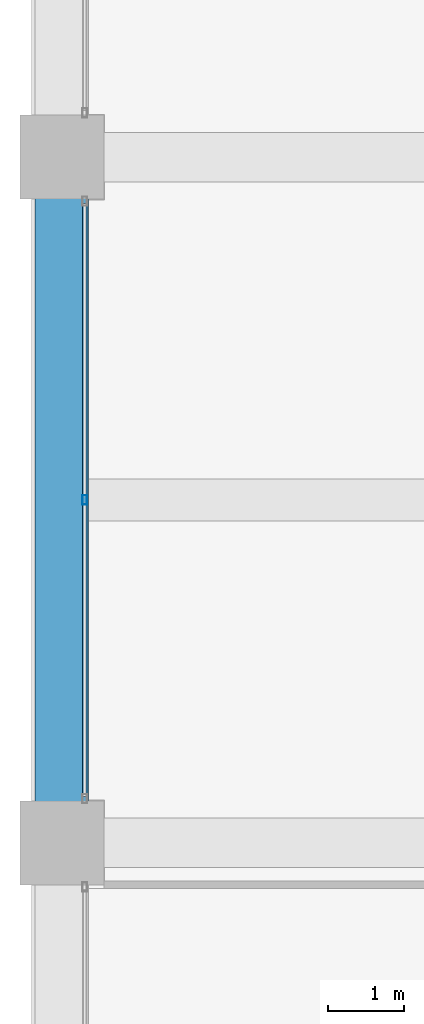
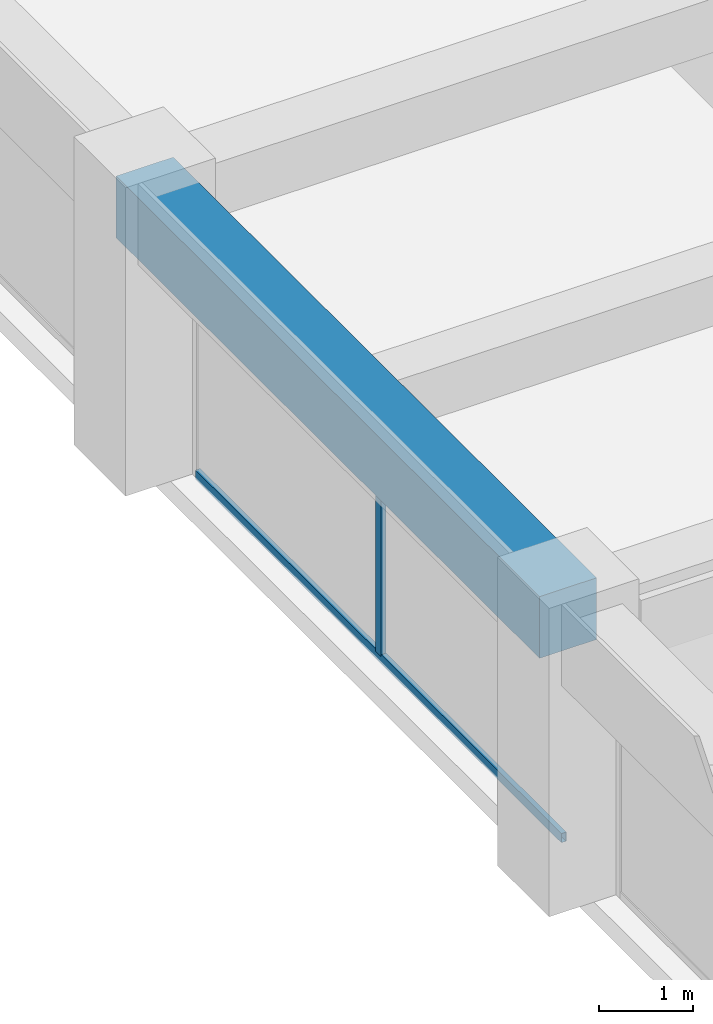
# One storey, part 14 of 44: 2 members, 1 beam, 1 element without a shape of its own.
"""IFC4 building model written with IfcOpenShell, lengths in metres."""

from ifc_helpers import new_model, si_unit, direction, frame, origin, origin_2d, place, context, subcontext, project, spatial, rectangle, hollow_rectangle, extrude, material, material_profile, profile_set, type_object, element, aggregate, save


model = new_model("IFC4")

# Units and contexts
model_context = context("Model", 3, precision=1e-05, world=origin(), true_north=direction((0.0, 1.0)))
body_context = subcontext(model_context, "Body", "Model", "MODEL_VIEW")
ifc_project = project(units=[si_unit("LENGTHUNIT", "METRE"), si_unit("AREAUNIT", "SQUARE_METRE"), si_unit("VOLUMEUNIT", "CUBIC_METRE"), si_unit("PLANEANGLEUNIT", "RADIAN"), si_unit("MASSUNIT", "GRAM", prefix="KILO")], contexts=[model_context])

# Site, building, storey
site_placement = place(None, origin())
site = spatial("IfcSite", under=ifc_project, at=site_placement, CompositionType="ELEMENT")
building_placement = place(site_placement, origin())
building = spatial("IfcBuilding", under=site, at=building_placement, Name="Zorevar Civic Tower", CompositionType="ELEMENT")
storey_placement = place(building_placement, frame((0.0, 0.0, 299.39990234375)))
storey = spatial("IfcBuildingStorey", under=building, at=storey_placement, Name="L73", CompositionType="ELEMENT", Elevation=299.39990234375)

# Curtain wall, members
ifc_material_1 = material(Name="Dark grey solar-control glass in black aluminium frame", Category="aluminium")
curtain_wall_type = type_object("IfcCurtainWallType", Name="Curtain wall CW5 top zone", PredefinedType="NOTDEFINED", material=ifc_material_1)
curtain_wall_placement = place(storey_placement, origin())
curtain_wall = element("IfcCurtainWall", 1, at=curtain_wall_placement, inside=storey, type_object=curtain_wall_type, Name="CW5 L73", PredefinedType="NOTDEFINED")
ifc_material_2 = material(Name="Aluminium, black anodised", Category="aluminium")
ifc_material_profile_1 = material_profile(ifc_material_2, hollow_rectangle(XDim=0.06005859375, YDim=0.1201171875, WallThickness=0.0029296875, at=origin_2d()), Name="AL 120x60x3")
ifc_profile_set_1 = profile_set([ifc_material_profile_1], Name="Aluminium, black anodised")
member_type_1 = type_object("IfcMemberType", Name="CW5 mullion AL 120x60x3", PredefinedType="MULLION", material=ifc_profile_set_1)
member_1_placement = place(storey_placement, frame((9.300048828125, 22.5, 0.06005859375), z_axis=(0.0, 0.0, 1.0), x_axis=(-1.0, 0.0, 0.0)))
member_1 = element("IfcMember", 2, at=member_1_placement, type_object=member_type_1, Name="CW5 mullion 2", PredefinedType="MULLION", context=body_context, shape_type="SweptSolid", body=[
    extrude(hollow_rectangle(XDim=0.06005859375, YDim=0.1201171875, WallThickness=0.0029296875, at=origin_2d()), origin(), (0.0, 0.0, 1.0), 2.89013671875),
])
ifc_material_3 = material(Name="Aluminium, black anodised", Category="aluminium")
ifc_material_profile_2 = material_profile(ifc_material_3, hollow_rectangle(XDim=0.06005859375, YDim=0.1201171875, WallThickness=0.0029296875, at=origin_2d()), Name="AL 120x60x3")
ifc_profile_set_2 = profile_set([ifc_material_profile_2], Name="Aluminium, black anodised")
member_type_2 = type_object("IfcMemberType", Name="CW5 transom AL 120x60x3", PredefinedType="USERDEFINED", material=ifc_profile_set_2)
member_2_placement = place(storey_placement, frame((9.300048828125, 18.610107421875, 0.030029296875), z_axis=(0.0, 1.0, 0.0), x_axis=(-1.0, 0.0, 0.0)))
member_2 = element("IfcMember", 3, at=member_2_placement, type_object=member_type_2, Name="CW5 sill transom", ObjectType="TRANSOM", PredefinedType="USERDEFINED", context=body_context, shape_type="SweptSolid", body=[
    extrude(hollow_rectangle(XDim=0.06005859375, YDim=0.1201171875, WallThickness=0.0029296875, at=origin_2d()), origin(), (0.0, 0.0, 1.0), 7.77978515625),
])
aggregate(curtain_wall, [member_1, member_2])

# Beam
ifc_material_4 = material(Name="Concrete C50/60", Category="concrete")
ifc_material_profile_3 = material_profile(ifc_material_4, rectangle(XDim=0.699951171875, YDim=0.800048828125, at=origin_2d()), Name="RC 700x800")
ifc_profile_set_3 = profile_set([ifc_material_profile_3], Name="Concrete C50/60")
beam_type = type_object("IfcBeamType", Name="Edge beam RC 700x800", PredefinedType="SPANDREL", material=ifc_profile_set_3)
beam_placement = place(storey_placement, frame((9.0, 18.0, 3.35009765625), z_axis=(0.0, 1.0, 0.0), x_axis=(-1.0, 0.0, 0.0)))
element("IfcBeam", 4, at=beam_placement, inside=storey, type_object=beam_type, Name="Edge beam L74", PredefinedType="SPANDREL", context=body_context, shape_type="SweptSolid", body=[
    extrude(rectangle(XDim=0.699951171875, YDim=0.800048828125, at=origin_2d()), origin(), (0.0, 0.0, 1.0), 9.0),
])

save(model, "model.ifc")
